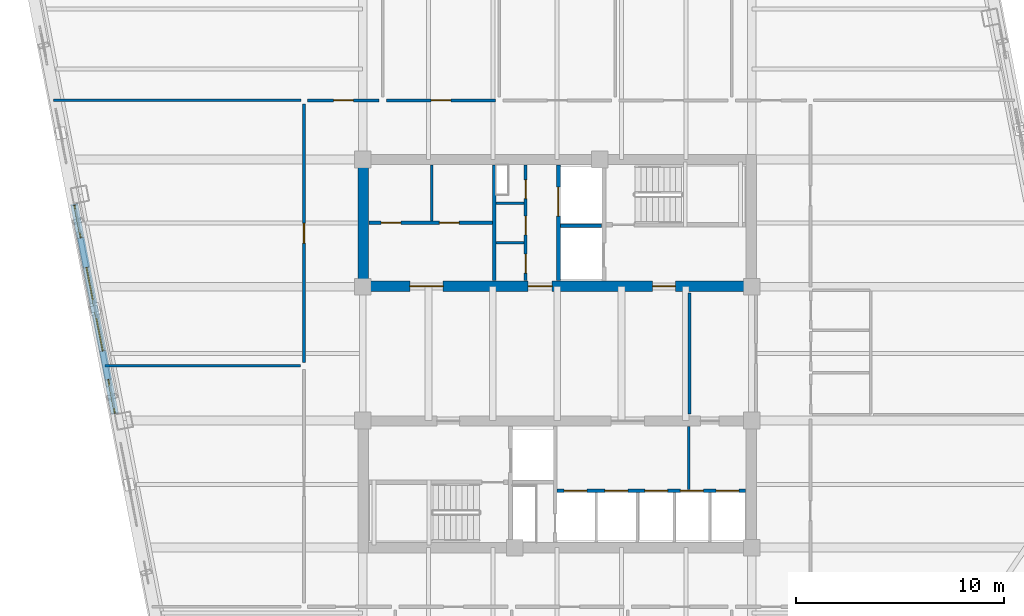
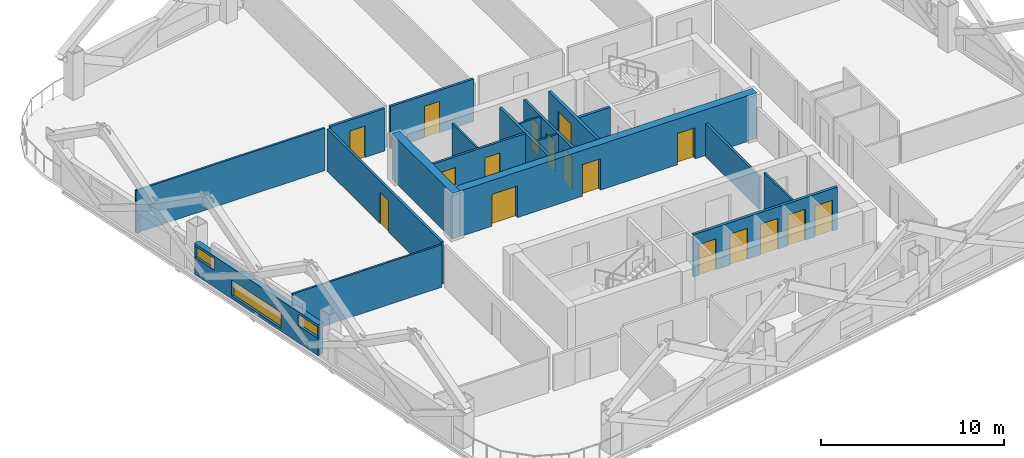
# One storey, part 5 of 10: 19 walls, 17 doors, 3 windows, 20 openings.
"""IFC4 building model written with IfcOpenShell, lengths in metres."""

from ifc_helpers import new_model, si_unit, direction, frame, frame_2d, origin, place, context, subcontext, project, spatial, rectangle, extrude, material, layer, layer_set, type_object, element, fill, save


model = new_model("IFC4")

# Units and contexts
model_context = context("Model", 3, precision=1e-05, world=origin(), true_north=direction((0.0, 1.0)))
body_context = subcontext(model_context, "Body", "Model", "MODEL_VIEW")
ifc_project = project(units=[si_unit("LENGTHUNIT", "METRE"), si_unit("AREAUNIT", "SQUARE_METRE"), si_unit("VOLUMEUNIT", "CUBIC_METRE"), si_unit("PLANEANGLEUNIT", "RADIAN"), si_unit("MASSUNIT", "GRAM", prefix="KILO")], contexts=[model_context])

# Site, building, storey
site_placement = place(None, origin())
site = spatial("IfcSite", under=ifc_project, at=site_placement, CompositionType="ELEMENT")
building_placement = place(site_placement, origin())
building = spatial("IfcBuilding", under=site, at=building_placement, Name="Qhalaya Broadcast Tower", CompositionType="ELEMENT")
storey_placement = place(building_placement, frame((0.0, 0.0, 125.0)))
storey = spatial("IfcBuildingStorey", under=building, at=storey_placement, Name="L36", CompositionType="ELEMENT", Elevation=125.0)

# Wall, openings, doors
ifc_material_1 = material(Name="Gypsum Acoustic Partition")
ifc_layer_1 = layer(ifc_material_1, 0.14990234375, Name="Gypsum Acoustic Partition")
ifc_layer_set_1 = layer_set([ifc_layer_1], Name="Gypsum Acoustic Partition")
wall_type_1 = type_object("IfcWallType", Name="Corridor & Tenancy Acoustic Partition 150", PredefinedType="PARTITIONING", material=ifc_layer_set_1)
wall_1_placement = place(storey_placement, frame((-1.52001953125, 4.1201171875, 0.0), z_axis=(0.0, 0.0, 1.0), x_axis=(0.0, 1.0, 0.0)))
wall_1 = element("IfcWall", 1, at=wall_1_placement, inside=storey, type_object=wall_type_1, Name="L36 Partition Wall NCW-SVL", PredefinedType="PARTITIONING", context=body_context, shape_type="SweptSolid", body=[
    extrude(rectangle(XDim=5.559814453125, YDim=0.14990234375, at=frame_2d((2.77978515625, 0.0))), origin(), (0.0, 0.0, 1.0), 2.830078125),
])
opening_1_placement = place(wall_1_placement, frame((3.949951171875, 0.0, 0.0)))
opening_1 = element("IfcOpeningElement", 2, at=opening_1_placement, cuts=wall_1, Name="Opening D06", PredefinedType="OPENING", context=body_context, shape_type="SweptSolid", body=[
    extrude(rectangle(XDim=0.89990234375, YDim=2.050048828125, at=frame_2d((0.449951171875, 1.02490234375))), frame((0.0, 0.0869140625, 0.0), z_axis=(0.0, -1.0, 0.0), x_axis=(1.0, 0.0, 0.0)), (0.0, 0.0, 1.0), 0.173828125),
])
opening_2_placement = place(wall_1_placement, frame((2.199951171875, 0.0, 0.0)))
opening_2 = element("IfcOpeningElement", 3, at=opening_2_placement, cuts=wall_1, Name="Opening D06", PredefinedType="OPENING", context=body_context, shape_type="SweptSolid", body=[
    extrude(rectangle(XDim=0.89990234375, YDim=2.050048828125, at=frame_2d((0.449951171875, 1.02490234375))), frame((0.0, 0.0869140625, 0.0), z_axis=(0.0, -1.0, 0.0), x_axis=(1.0, 0.0, 0.0)), (0.0, 0.0, 1.0), 0.173828125),
])
opening_3_placement = place(wall_1_placement, frame((0.35009765625, 0.0, 0.0)))
opening_3 = element("IfcOpeningElement", 4, at=opening_3_placement, cuts=wall_1, Name="Opening D12", PredefinedType="OPENING", context=body_context, shape_type="SweptSolid", body=[
    extrude(rectangle(XDim=0.919921875, YDim=2.10009765625, at=frame_2d((0.4599609375, 1.050048828125))), frame((0.0, 0.0869140625, 0.0), z_axis=(0.0, -1.0, 0.0), x_axis=(1.0, 0.0, 0.0)), (0.0, 0.0, 1.0), 0.173828125),
])
ifc_material_2 = material(Name="Timber Veneer Acoustic Door", Category="wood")
door_type_1 = type_object("IfcDoorType", Name="Accessible WC & Restroom Door D12", OperationType="NOTDEFINED", PredefinedType="DOOR", material=ifc_material_2)
door_1_placement = place(opening_3_placement, origin())
door_1 = element("IfcDoor", 5, at=door_1_placement, inside=storey, type_object=door_type_1, Name="L36 Door D-NCWC", OperationType="SINGLE_SWING_RIGHT", OverallHeight=2.10009765625, OverallWidth=0.919921875, PredefinedType="DOOR", context=body_context, shape_type="SweptSolid", body=[
    extrude(rectangle(XDim=0.919921875, YDim=2.10009765625, at=frame_2d((0.4599609375, 1.050048828125))), frame((0.0, 0.02490234375, 0.0), z_axis=(0.0, -1.0, 0.0), x_axis=(1.0, 0.0, 0.0)), (0.0, 0.0, 1.0), 0.050048828125),
])
fill(opening_3, door_1)
ifc_material_3 = material(Name="Fire-Rated Steel Door", Category="steel")
door_type_2 = type_object("IfcDoorType", Name="Riser & Electrical Shaft Access Door D06", OperationType="NOTDEFINED", PredefinedType="DOOR", material=ifc_material_3)
door_2_placement = place(opening_1_placement, origin())
door_2 = element("IfcDoor", 6, at=door_2_placement, inside=storey, type_object=door_type_2, Name="L36 Riser Shaft Access Door D-NRSR", OperationType="SINGLE_SWING_RIGHT", OverallHeight=2.050048828125, OverallWidth=0.89990234375, PredefinedType="DOOR", context=body_context, shape_type="SweptSolid", body=[
    extrude(rectangle(XDim=0.89990234375, YDim=2.050048828125, at=frame_2d((0.449951171875, 1.02490234375))), frame((0.0, 0.02490234375, 0.0), z_axis=(0.0, -1.0, 0.0), x_axis=(1.0, 0.0, 0.0)), (0.0, 0.0, 1.0), 0.050048828125),
])
fill(opening_1, door_2)
door_3_placement = place(opening_2_placement, origin())
door_3 = element("IfcDoor", 7, at=door_3_placement, inside=storey, type_object=door_type_2, Name="L36 Door D-NITR", OperationType="SINGLE_SWING_LEFT", OverallHeight=2.050048828125, OverallWidth=0.89990234375, PredefinedType="DOOR", context=body_context, shape_type="SweptSolid", body=[
    extrude(rectangle(XDim=0.89990234375, YDim=2.050048828125, at=frame_2d((0.449951171875, 1.02490234375))), frame((0.0, 0.02490234375, 0.0), z_axis=(0.0, -1.0, 0.0), x_axis=(1.0, 0.0, 0.0)), (0.0, 0.0, 1.0), 0.050048828125),
])
fill(opening_2, door_3)

wall_2_placement = place(storey_placement, frame((-9.080078125, 6.89990234375, 0.0), z_axis=(0.0, 0.0, 1.0), x_axis=(1.0, 0.0, 0.0)))
wall_2 = element("IfcWall", 8, at=wall_2_placement, inside=storey, type_object=wall_type_1, Name="L36 Partition Wall NCW-REC1", PredefinedType="PARTITIONING", context=body_context, shape_type="SweptSolid", body=[
    extrude(rectangle(XDim=5.9599609375, YDim=0.14990234375, at=frame_2d((2.97998046875, 0.0))), origin(), (0.0, 0.0, 1.0), 2.830078125),
])
opening_4_placement = place(wall_2_placement, frame((0.60009765625, 0.0, 0.0)))
opening_4 = element("IfcOpeningElement", 9, at=opening_4_placement, cuts=wall_2, Name="Opening D10", PredefinedType="OPENING", context=body_context, shape_type="SweptSolid", body=[
    extrude(rectangle(XDim=0.949951171875, YDim=2.10009765625, at=frame_2d((0.47509765625, 1.050048828125))), frame((0.0, 0.0869140625, 0.0), z_axis=(0.0, -1.0, 0.0), x_axis=(1.0, 0.0, 0.0)), (0.0, 0.0, 1.0), 0.173828125),
])
opening_5_placement = place(wall_2_placement, frame((3.39990234375, 0.0, 0.0)))
opening_5 = element("IfcOpeningElement", 10, at=opening_5_placement, cuts=wall_2, Name="Opening D10", PredefinedType="OPENING", context=body_context, shape_type="SweptSolid", body=[
    extrude(rectangle(XDim=0.949951171875, YDim=2.10009765625, at=frame_2d((0.47509765625, 1.050048828125))), frame((0.0, 0.0869140625, 0.0), z_axis=(0.0, -1.0, 0.0), x_axis=(1.0, 0.0, 0.0)), (0.0, 0.0, 1.0), 0.173828125),
])
door_type_3 = type_object("IfcDoorType", Name="Cellular Office & Edit Booth Door D10", OperationType="NOTDEFINED", PredefinedType="DOOR", material=ifc_material_2)
door_4_placement = place(opening_4_placement, origin())
door_4 = element("IfcDoor", 11, at=door_4_placement, inside=storey, type_object=door_type_3, Name="L36 Door D-NREC1", OperationType="SINGLE_SWING_LEFT", OverallHeight=2.10009765625, OverallWidth=0.949951171875, PredefinedType="DOOR", context=body_context, shape_type="SweptSolid", body=[
    extrude(rectangle(XDim=0.949951171875, YDim=2.10009765625, at=frame_2d((0.47509765625, 1.050048828125))), frame((0.0, 0.02490234375, 0.0), z_axis=(0.0, -1.0, 0.0), x_axis=(1.0, 0.0, 0.0)), (0.0, 0.0, 1.0), 0.050048828125),
])
fill(opening_4, door_4)
door_5_placement = place(opening_5_placement, origin())
door_5 = element("IfcDoor", 12, at=door_5_placement, inside=storey, type_object=door_type_3, Name="L36 Door D-NREC2", OperationType="SINGLE_SWING_RIGHT", OverallHeight=2.10009765625, OverallWidth=0.949951171875, PredefinedType="DOOR", context=body_context, shape_type="SweptSolid", body=[
    extrude(rectangle(XDim=0.949951171875, YDim=2.10009765625, at=frame_2d((0.47509765625, 1.050048828125))), frame((0.0, 0.02490234375, 0.0), z_axis=(0.0, -1.0, 0.0), x_axis=(1.0, 0.0, 0.0)), (0.0, 0.0, 1.0), 0.050048828125),
])
fill(opening_5, door_5)

# Wall
wall_3_placement = place(storey_placement, frame((6.3798828125, -2.320068359375, 0.0), z_axis=(0.0, 0.0, 1.0), x_axis=(0.0, 1.0, 0.0)))
element("IfcWall", 13, at=wall_3_placement, inside=storey, type_object=wall_type_1, Name="L36 Partition Wall W-ICHW", PredefinedType="PARTITIONING", context=body_context, shape_type="SweptSolid", body=[
    extrude(rectangle(XDim=5.840087890625, YDim=0.14990234375, at=frame_2d((2.919921875, 0.0))), origin(), (0.0, 0.0, 1.0), 2.197998046875),
])

# Wall, opening, door
wall_4_placement = place(storey_placement, frame((-12.02001953125, 12.800048828125, 0.0), z_axis=(0.0, 0.0, 1.0), x_axis=(1.0, 0.0, 0.0)))
wall_4 = element("IfcWall", 14, at=wall_4_placement, inside=storey, type_object=wall_type_1, Name="L36 Partition Wall W-COR-01", PredefinedType="PARTITIONING", context=body_context, shape_type="SweptSolid", body=[
    extrude(rectangle(XDim=3.43994140625, YDim=0.14990234375, at=frame_2d((1.719970703125, 0.0))), origin(), (0.0, 0.0, 1.0), 2.830078125),
])
opening_6_placement = place(wall_4_placement, frame((1.2451171875, 0.0, 0.0)))
opening_6 = element("IfcOpeningElement", 15, at=opening_6_placement, cuts=wall_4, Name="Opening D10", PredefinedType="OPENING", context=body_context, shape_type="SweptSolid", body=[
    extrude(rectangle(XDim=0.949951171875, YDim=2.10009765625, at=frame_2d((0.47509765625, 1.050048828125))), frame((0.0, 0.0869140625, 0.0), z_axis=(0.0, -1.0, 0.0), x_axis=(1.0, 0.0, 0.0)), (0.0, 0.0, 1.0), 0.173828125),
])
door_6_placement = place(opening_6_placement, origin())
door_6 = element("IfcDoor", 16, at=door_6_placement, inside=storey, type_object=door_type_3, Name="L36 Door D-RM01", OperationType="SINGLE_SWING_RIGHT", OverallHeight=2.10009765625, OverallWidth=0.949951171875, PredefinedType="DOOR", context=body_context, shape_type="SweptSolid", body=[
    extrude(rectangle(XDim=0.949951171875, YDim=2.10009765625, at=frame_2d((0.47509765625, 1.050048828125))), frame((0.0, 0.02490234375, 0.0), z_axis=(0.0, -1.0, 0.0), x_axis=(1.0, 0.0, 0.0)), (0.0, 0.0, 1.0), 0.050048828125),
])
fill(opening_6, door_6)

wall_5_placement = place(storey_placement, frame((-8.219970703125, 12.800048828125, 0.0), z_axis=(0.0, 0.0, 1.0), x_axis=(1.0, 0.0, 0.0)))
wall_5 = element("IfcWall", 17, at=wall_5_placement, inside=storey, type_object=wall_type_1, Name="L36 Partition Wall W-COR-02", PredefinedType="PARTITIONING", context=body_context, shape_type="SweptSolid", body=[
    extrude(rectangle(XDim=5.239990234375, YDim=0.14990234375, at=frame_2d((2.6201171875, 0.0))), origin(), (0.0, 0.0, 1.0), 2.830078125),
])
opening_7_placement = place(wall_5_placement, frame((2.14501953125, 0.0, 0.0)))
opening_7 = element("IfcOpeningElement", 18, at=opening_7_placement, cuts=wall_5, Name="Opening D10", PredefinedType="OPENING", context=body_context, shape_type="SweptSolid", body=[
    extrude(rectangle(XDim=0.949951171875, YDim=2.10009765625, at=frame_2d((0.47509765625, 1.050048828125))), frame((0.0, 0.0869140625, 0.0), z_axis=(0.0, -1.0, 0.0), x_axis=(1.0, 0.0, 0.0)), (0.0, 0.0, 1.0), 0.173828125),
])
door_7_placement = place(opening_7_placement, origin())
door_7 = element("IfcDoor", 19, at=door_7_placement, inside=storey, type_object=door_type_3, Name="L36 Door D-RM02", OperationType="SINGLE_SWING_LEFT", OverallHeight=2.10009765625, OverallWidth=0.949951171875, PredefinedType="DOOR", context=body_context, shape_type="SweptSolid", body=[
    extrude(rectangle(XDim=0.949951171875, YDim=2.10009765625, at=frame_2d((0.47509765625, 1.050048828125))), frame((0.0, 0.02490234375, 0.0), z_axis=(0.0, -1.0, 0.0), x_axis=(1.0, 0.0, 0.0)), (0.0, 0.0, 1.0), 0.050048828125),
])
fill(opening_7, door_7)

wall_6_placement = place(storey_placement, frame((-12.199951171875, 0.179931640625, 0.0), z_axis=(0.0, 0.0, 1.0), x_axis=(0.0, 1.0, 0.0)))
wall_6 = element("IfcWall", 20, at=wall_6_placement, inside=storey, type_object=wall_type_1, Name="L36 Partition Wall W-COR-12", PredefinedType="PARTITIONING", context=body_context, shape_type="SweptSolid", body=[
    extrude(rectangle(XDim=12.440185546875, YDim=0.14990234375, at=frame_2d((6.22021484375, 0.0))), origin(), (0.0, 0.0, 1.0), 2.830078125),
])
opening_8_placement = place(wall_6_placement, frame((5.7451171875, 0.0, 0.0)))
opening_8 = element("IfcOpeningElement", 21, at=opening_8_placement, cuts=wall_6, Name="Opening D10", PredefinedType="OPENING", context=body_context, shape_type="SweptSolid", body=[
    extrude(rectangle(XDim=0.949951171875, YDim=2.10009765625, at=frame_2d((0.47509765625, 1.050048828125))), frame((0.0, 0.0869140625, 0.0), z_axis=(0.0, -1.0, 0.0), x_axis=(1.0, 0.0, 0.0)), (0.0, 0.0, 1.0), 0.173828125),
])
door_8_placement = place(opening_8_placement, origin())
door_8 = element("IfcDoor", 22, at=door_8_placement, inside=storey, type_object=door_type_3, Name="L36 Door D-RM12", OperationType="SINGLE_SWING_LEFT", OverallHeight=2.10009765625, OverallWidth=0.949951171875, PredefinedType="DOOR", context=body_context, shape_type="SweptSolid", body=[
    extrude(rectangle(XDim=0.949951171875, YDim=2.10009765625, at=frame_2d((0.47509765625, 1.050048828125))), frame((0.0, 0.02490234375, 0.0), z_axis=(0.0, -1.0, 0.0), x_axis=(1.0, 0.0, 0.0)), (0.0, 0.0, 1.0), 0.050048828125),
])
fill(opening_8, door_8)

# Wall, openings, windows
ifc_material_4 = material(Name="Precast Concrete C40/50", Category="concrete")
ifc_layer_2 = layer(ifc_material_4, 0.360107421875, Name="Precast Concrete C40/50")
ifc_layer_set_2 = layer_set([ifc_layer_2], Name="Precast Concrete C40/50")
wall_type_2 = type_object("IfcWallType", Name="Insulated Precast Terracotta Exterior Wall 360", PredefinedType="SOLIDWALL", material=ifc_layer_set_2)
wall_7_placement = place(storey_placement, frame((-21.31005859375, -2.30859375, 0.0), z_axis=(0.0, 0.0, 1.0), x_axis=(-0.190811924826, 0.981626614016, 0.0)))
wall_7 = element("IfcWall", 23, at=wall_7_placement, inside=storey, type_object=wall_type_2, Name="L36 Exoskeleton Diagrid Infill Wall W2", PredefinedType="SOLIDWALL", context=body_context, shape_type="SweptSolid", body=[
    extrude(rectangle(XDim=10.2998046875, YDim=0.360107421875, at=frame_2d((5.14990234375, 0.0))), origin(), (0.0, 0.0, 1.0), 2.06689453125),
])
opening_9_placement = place(wall_7_placement, frame((0.0380859375, 0.0, 1.14990234375)))
opening_9 = element("IfcOpeningElement", 24, at=opening_9_placement, cuts=wall_7, Name="Opening W11", PredefinedType="OPENING", context=body_context, shape_type="SweptSolid", body=[
    extrude(rectangle(XDim=1.64990234375, YDim=0.75, at=frame_2d((0.824951171875, 0.375))), frame((0.0, 0.192138671875, 0.0), z_axis=(0.0, -1.0, 0.0), x_axis=(1.0, 0.0, 0.0)), (0.0, 0.0, 1.0), 0.384033203125),
])
opening_10_placement = place(wall_7_placement, frame((3.087890625, 0.0, 0.199951171875)))
opening_10 = element("IfcOpeningElement", 25, at=opening_10_placement, cuts=wall_7, Name="Opening W11", PredefinedType="OPENING", context=body_context, shape_type="SweptSolid", body=[
    extrude(rectangle(XDim=4.10009765625, YDim=1.050048828125, at=frame_2d((2.050048828125, 0.52490234375))), frame((0.0, 0.192138671875, 0.0), z_axis=(0.0, -1.0, 0.0), x_axis=(1.0, 0.0, 0.0)), (0.0, 0.0, 1.0), 0.384033203125),
])
opening_11_placement = place(wall_7_placement, frame((8.637939453125, 0.0, 1.14990234375)))
opening_11 = element("IfcOpeningElement", 26, at=opening_11_placement, cuts=wall_7, Name="Opening W11", PredefinedType="OPENING", context=body_context, shape_type="SweptSolid", body=[
    extrude(rectangle(XDim=1.60009765625, YDim=0.75, at=frame_2d((0.800048828125, 0.375))), frame((0.0, 0.192138671875, 0.0), z_axis=(0.0, -1.0, 0.0), x_axis=(1.0, 0.0, 0.0)), (0.0, 0.0, 1.0), 0.384033203125),
])
ifc_material_5 = material(Name="Solar-Control Low-E Triple Glazing", Category="glass")
window_type = type_object("IfcWindowType", Name="Odd-Block Diagrid Infill Window W11", PartitioningType="SINGLE_PANEL", PredefinedType="WINDOW", material=ifc_material_5)
window_1_placement = place(opening_9_placement, origin())
window_1 = element("IfcWindow", 27, at=window_1_placement, inside=storey, type_object=window_type, Name="L36 Diagrid Infill Window W11-W2", OverallHeight=0.75, OverallWidth=1.64990234375, PartitioningType="SINGLE_PANEL", PredefinedType="WINDOW", context=body_context, shape_type="SweptSolid", body=[
    extrude(rectangle(XDim=1.64990234375, YDim=0.75, at=frame_2d((0.824951171875, 0.375))), frame((0.0, 0.030029296875, 0.0), z_axis=(0.0, -1.0, 0.0), x_axis=(1.0, 0.0, 0.0)), (0.0, 0.0, 1.0), 0.06005859375),
])
fill(opening_9, window_1)
window_2_placement = place(opening_10_placement, origin())
window_2 = element("IfcWindow", 28, at=window_2_placement, inside=storey, type_object=window_type, Name="L36 Diagrid Infill Window W11-W3", OverallHeight=1.050048828125, OverallWidth=4.10009765625, PartitioningType="SINGLE_PANEL", PredefinedType="WINDOW", context=body_context, shape_type="SweptSolid", body=[
    extrude(rectangle(XDim=4.10009765625, YDim=1.050048828125, at=frame_2d((2.050048828125, 0.52490234375))), frame((0.0, 0.030029296875, 0.0), z_axis=(0.0, -1.0, 0.0), x_axis=(1.0, 0.0, 0.0)), (0.0, 0.0, 1.0), 0.06005859375),
])
fill(opening_10, window_2)
window_3_placement = place(opening_11_placement, origin())
window_3 = element("IfcWindow", 29, at=window_3_placement, inside=storey, type_object=window_type, Name="L36 Diagrid Infill Window W11-W4", OverallHeight=0.75, OverallWidth=1.60009765625, PartitioningType="SINGLE_PANEL", PredefinedType="WINDOW", context=body_context, shape_type="SweptSolid", body=[
    extrude(rectangle(XDim=1.60009765625, YDim=0.75, at=frame_2d((0.800048828125, 0.375))), frame((0.0, 0.030029296875, 0.0), z_axis=(0.0, -1.0, 0.0), x_axis=(1.0, 0.0, 0.0)), (0.0, 0.0, 1.0), 0.06005859375),
])
fill(opening_11, window_3)

# Wall, openings, doors
ifc_material_6 = material(Name="Concrete C50/60", Category="concrete")
ifc_layer_3 = layer(ifc_material_6, 0.5, Name="Concrete C50/60")
ifc_layer_set_3 = layer_set([ifc_layer_3], Name="Concrete C50/60")
wall_type_3 = type_object("IfcWallType", Name="Mid Split-Core Shear Wall 500", PredefinedType="SHEAR", material=ifc_layer_set_3)
wall_8_placement = place(storey_placement, frame((-9.60009765625, 3.85009765625, 0.0), z_axis=(0.0, 0.0, 1.0), x_axis=(1.0, 0.0, 0.0)))
wall_8 = element("IfcWall", 30, at=wall_8_placement, inside=storey, type_object=wall_type_3, Name="L36 Split-Core Shear Wall CW-NS", PredefinedType="SHEAR", context=body_context, shape_type="SweptSolid", body=[
    extrude(rectangle(XDim=19.2001953125, YDim=0.5, at=frame_2d((9.60009765625, 0.0))), origin(), (0.0, 0.0, 1.0), 3.050048828125),
])
opening_12_placement = place(wall_8_placement, frame((14.199951171875, 0.0, 0.0)))
opening_12 = element("IfcOpeningElement", 31, at=opening_12_placement, cuts=wall_8, Name="Opening D04", PredefinedType="OPENING", context=body_context, shape_type="SweptSolid", body=[
    extrude(rectangle(XDim=1.10009765625, YDim=2.080078125, at=frame_2d((0.550048828125, 1.0400390625))), frame((0.0, 0.261962890625, 0.0), z_axis=(0.0, -1.0, 0.0), x_axis=(1.0, 0.0, 0.0)), (0.0, 0.0, 1.0), 0.52392578125),
])
opening_13_placement = place(wall_8_placement, frame((8.199951171875, 0.0, 0.0)))
opening_13 = element("IfcOpeningElement", 32, at=opening_13_placement, cuts=wall_8, Name="Opening D05", PredefinedType="OPENING", context=body_context, shape_type="SweptSolid", body=[
    extrude(rectangle(XDim=1.14990234375, YDim=2.10009765625, at=frame_2d((0.574951171875, 1.050048828125))), frame((0.0, 0.261962890625, 0.0), z_axis=(0.0, -1.0, 0.0), x_axis=(1.0, 0.0, 0.0)), (0.0, 0.0, 1.0), 0.52392578125),
])
opening_14_placement = place(wall_8_placement, frame((2.5, 0.0, 0.0)))
opening_14 = element("IfcOpeningElement", 33, at=opening_14_placement, cuts=wall_8, Name="Opening D07", PredefinedType="OPENING", context=body_context, shape_type="SweptSolid", body=[
    extrude(rectangle(XDim=1.60009765625, YDim=2.1201171875, at=frame_2d((0.800048828125, 1.06005859375))), frame((0.0, 0.261962890625, 0.0), z_axis=(0.0, -1.0, 0.0), x_axis=(1.0, 0.0, 0.0)), (0.0, 0.0, 1.0), 0.52392578125),
])
door_type_4 = type_object("IfcDoorType", Name="Firefighting Lobby Rated Door D04", OperationType="NOTDEFINED", PredefinedType="DOOR", material=ifc_material_3)
door_9_placement = place(opening_12_placement, origin())
door_9 = element("IfcDoor", 34, at=door_9_placement, inside=storey, type_object=door_type_4, Name="L36 Door D-NFF", OperationType="SINGLE_SWING_RIGHT", OverallHeight=2.080078125, OverallWidth=1.10009765625, PredefinedType="DOOR", context=body_context, shape_type="SweptSolid", body=[
    extrude(rectangle(XDim=1.10009765625, YDim=2.080078125, at=frame_2d((0.550048828125, 1.0400390625))), frame((0.0, 0.02490234375, 0.0), z_axis=(0.0, -1.0, 0.0), x_axis=(1.0, 0.0, 0.0)), (0.0, 0.0, 1.0), 0.050048828125),
])
fill(opening_12, door_9)
ifc_material_7 = material(Name="Anodised Aluminium Glazed Door", Category="aluminium")
door_type_5 = type_object("IfcDoorType", Name="Passenger Lift Lobby Double Glazed Door D07", OperationType="DOUBLE_DOOR_SINGLE_SWING", PredefinedType="DOOR", material=ifc_material_7)
door_10_placement = place(opening_14_placement, origin())
door_10 = element("IfcDoor", 35, at=door_10_placement, inside=storey, type_object=door_type_5, Name="L36 Door D-NRECV", OperationType="DOUBLE_DOOR_SINGLE_SWING", OverallHeight=2.1201171875, OverallWidth=1.60009765625, PredefinedType="DOOR", context=body_context, shape_type="SweptSolid", body=[
    extrude(rectangle(XDim=1.60009765625, YDim=2.1201171875, at=frame_2d((0.800048828125, 1.06005859375))), frame((0.0, 0.02490234375, 0.0), z_axis=(0.0, -1.0, 0.0), x_axis=(1.0, 0.0, 0.0)), (0.0, 0.0, 1.0), 0.050048828125),
])
fill(opening_14, door_10)
door_type_6 = type_object("IfcDoorType", Name="Refuge & Plant Room Fire Door D05", OperationType="NOTDEFINED", PredefinedType="DOOR", material=ifc_material_3)
door_11_placement = place(opening_13_placement, origin())
door_11 = element("IfcDoor", 36, at=door_11_placement, inside=storey, type_object=door_type_6, Name="L36 Door D-NSVL", OperationType="SINGLE_SWING_LEFT", OverallHeight=2.10009765625, OverallWidth=1.14990234375, PredefinedType="DOOR", context=body_context, shape_type="SweptSolid", body=[
    extrude(rectangle(XDim=1.14990234375, YDim=2.10009765625, at=frame_2d((0.574951171875, 1.050048828125))), frame((0.0, 0.02490234375, 0.0), z_axis=(0.0, -1.0, 0.0), x_axis=(1.0, 0.0, 0.0)), (0.0, 0.0, 1.0), 0.050048828125),
])
fill(opening_13, door_11)

# Walls
wall_9_placement = place(storey_placement, frame((-9.35009765625, 3.60009765625, 0.0), z_axis=(0.0, 0.0, 1.0), x_axis=(0.0, 1.0, 0.0)))
element("IfcWall", 37, at=wall_9_placement, inside=storey, type_object=wall_type_3, Name="L36 Split-Core Shear Wall CW-NW", PredefinedType="SHEAR", context=body_context, shape_type="SweptSolid", body=[
    extrude(rectangle(XDim=6.599853515625, YDim=0.5, at=frame_2d((3.2998046875, 0.0))), origin(), (0.0, 0.0, 1.0), 3.050048828125),
])
ifc_layer_4 = layer(ifc_material_1, 0.1201171875, Name="Gypsum Acoustic Partition")
ifc_layer_set_4 = layer_set([ifc_layer_4], Name="Gypsum Acoustic Partition")
wall_type_4 = type_object("IfcWallType", Name="Office, Booth & Sanitary Partition 120", PredefinedType="PARTITIONING", material=ifc_layer_set_4)
for number, where, z_axis, x_axis, name in (
    (38, (-2.9599609375, 5.949951171875, 0.0), (0.0, 0.0, 1.0), (1.0, 0.0, 0.0), "L36 Partition Wall NCW-VB1"),
    (39, (-2.9599609375, 7.85009765625, 0.0), (0.0, 0.0, 1.0), (1.0, 0.0, 0.0), "L36 Partition Wall NCW-VB2"),
):
    element("IfcWall", number, at=place(storey_placement, frame(where, z_axis=z_axis, x_axis=x_axis)), inside=storey, type_object=wall_type_4, Name=name, PredefinedType="PARTITIONING", context=body_context, shape_type="SweptSolid", body=[
        extrude(rectangle(XDim=1.35986328125, YDim=0.1201171875, at=frame_2d((0.679931640625, 0.0))), origin(), (0.0, 0.0, 1.0), 2.830078125),
    ])
wall_10_placement = place(storey_placement, frame((-6.050048828125, 6.97998046875, 0.0), z_axis=(0.0, 0.0, 1.0), x_axis=(0.0, 1.0, 0.0)))
element("IfcWall", 40, at=wall_10_placement, inside=storey, type_object=wall_type_4, Name="L36 Partition Wall NCW-REC2", PredefinedType="PARTITIONING", context=body_context, shape_type="SweptSolid", body=[
    extrude(rectangle(XDim=2.699951171875, YDim=0.1201171875, at=frame_2d((1.35009765625, 0.0))), origin(), (0.0, 0.0, 1.0), 2.830078125),
])
wall_11_placement = place(storey_placement, frame((6.35009765625, -5.93994140625, 0.0), z_axis=(0.0, 0.0, 1.0), x_axis=(0.0, 1.0, 0.0)))
element("IfcWall", 41, at=wall_11_placement, inside=storey, type_object=wall_type_4, Name="L36 Partition Wall SCW-LKB", PredefinedType="PARTITIONING", context=body_context, shape_type="SweptSolid", body=[
    extrude(rectangle(XDim=3.02001953125, YDim=0.1201171875, at=frame_2d((1.510009765625, 0.0))), origin(), (0.0, 0.0, 1.0), 2.830078125),
])
wall_12_placement = place(storey_placement, frame((-24.267333984375, 12.800048828125, 0.0), z_axis=(0.0, 0.0, 1.0), x_axis=(1.0, 0.0, 0.0)))
element("IfcWall", 42, at=wall_12_placement, inside=storey, type_object=wall_type_4, Name="L36 Partition Wall W-BNDW1", PredefinedType="PARTITIONING", context=body_context, shape_type="SweptSolid", body=[
    extrude(rectangle(XDim=11.92724609375, YDim=0.1201171875, at=frame_2d((5.963623046875, 0.0))), origin(), (0.0, 0.0, 1.0), 2.830078125),
])
wall_13_placement = place(storey_placement, frame((-21.779296875, 0.0, 0.0), z_axis=(0.0, 0.0, 1.0), x_axis=(1.0, 0.0, 0.0)))
element("IfcWall", 43, at=wall_13_placement, inside=storey, type_object=wall_type_4, Name="L36 Partition Wall W-DIVW1", PredefinedType="PARTITIONING", context=body_context, shape_type="SweptSolid", body=[
    extrude(rectangle(XDim=9.419189453125, YDim=0.1201171875, at=frame_2d((4.70947265625, 0.0))), origin(), (0.0, 0.0, 1.0), 2.830078125),
])

# Wall, opening, door
ifc_layer_5 = layer(ifc_material_1, 0.175048828125, Name="Gypsum Acoustic Partition")
ifc_layer_set_5 = layer_set([ifc_layer_5], Name="Gypsum Acoustic Partition")
wall_type_5 = type_object("IfcWallType", Name="Shaft & Riser Fire Partition 175", PredefinedType="PARTITIONING", material=ifc_layer_set_5)
wall_14_placement = place(storey_placement, frame((0.06005859375, 4.1201171875, 0.0), z_axis=(0.0, 0.0, 1.0), x_axis=(0.0, 1.0, 0.0)))
wall_14 = element("IfcWall", 44, at=wall_14_placement, inside=storey, type_object=wall_type_5, Name="L36 Partition Wall NCW-SVW", PredefinedType="PARTITIONING", context=body_context, shape_type="SweptSolid", body=[
    extrude(rectangle(XDim=5.559814453125, YDim=0.175048828125, at=frame_2d((2.77978515625, 0.0))), origin(), (0.0, 0.0, 1.0), 2.830078125),
])
opening_15_placement = place(wall_14_placement, frame((3.10009765625, 0.0, 0.0)))
opening_15 = element("IfcOpeningElement", 45, at=opening_15_placement, cuts=wall_14, Name="Opening LD3", PredefinedType="OPENING", context=body_context, shape_type="SweptSolid", body=[
    extrude(rectangle(XDim=1.39990234375, YDim=2.1201171875, at=frame_2d((0.699951171875, 1.06005859375))), frame((0.0, 0.099609375, 0.0), z_axis=(0.0, -1.0, 0.0), x_axis=(1.0, 0.0, 0.0)), (0.0, 0.0, 1.0), 0.198974609375),
])
ifc_material_8 = material(Name="Brushed Stainless Steel Lift Door", Category="steel")
door_type_7 = type_object("IfcDoorType", Name="Service Lift Wide Sliding Landing Door LD3", OperationType="DOUBLE_DOOR_SLIDING", PredefinedType="DOOR", material=ifc_material_8)
door_12_placement = place(opening_15_placement, origin())
door_12 = element("IfcDoor", 46, at=door_12_placement, inside=storey, type_object=door_type_7, Name="L36 Door LD-SV1", OperationType="DOUBLE_DOOR_SLIDING", OverallHeight=2.1201171875, OverallWidth=1.39990234375, PredefinedType="DOOR", context=body_context, shape_type="SweptSolid", body=[
    extrude(rectangle(XDim=1.39990234375, YDim=2.1201171875, at=frame_2d((0.699951171875, 1.06005859375))), frame((0.0, 0.02490234375, 0.0), z_axis=(0.0, -1.0, 0.0), x_axis=(1.0, 0.0, 0.0)), (0.0, 0.0, 1.0), 0.050048828125),
])
fill(opening_15, door_12)

# Walls
wall_15_placement = place(storey_placement, frame((0.159912109375, 6.75, 0.0), z_axis=(0.0, 0.0, 1.0), x_axis=(1.0, 0.0, 0.0)))
element("IfcWall", 47, at=wall_15_placement, inside=storey, type_object=wall_type_5, Name="L36 Partition Wall NCW-SVM", PredefinedType="PARTITIONING", context=body_context, shape_type="SweptSolid", body=[
    extrude(rectangle(XDim=1.97998046875, YDim=0.175048828125, at=frame_2d((0.989990234375, 0.0))), origin(), (0.0, 0.0, 1.0), 2.830078125),
])
wall_16_placement = place(storey_placement, frame((-3.0400390625, 4.1201171875, 0.0), z_axis=(0.0, 0.0, 1.0), x_axis=(0.0, 1.0, 0.0)))
element("IfcWall", 48, at=wall_16_placement, inside=storey, type_object=wall_type_5, Name="L36 Partition Wall NCW-VRW", PredefinedType="PARTITIONING", context=body_context, shape_type="SweptSolid", body=[
    extrude(rectangle(XDim=5.559814453125, YDim=0.175048828125, at=frame_2d((2.77978515625, 0.0))), origin(), (0.0, 0.0, 1.0), 2.830078125),
])

# Wall, openings, doors
wall_17_placement = place(storey_placement, frame((0.0, -6.02001953125, 0.0), z_axis=(0.0, 0.0, 1.0), x_axis=(1.0, 0.0, 0.0)))
wall_17 = element("IfcWall", 49, at=wall_17_placement, inside=storey, type_object=wall_type_5, Name="L36 Partition Wall SCW-SLB", PredefinedType="PARTITIONING", context=body_context, shape_type="SweptSolid", body=[
    extrude(rectangle(XDim=9.080078125, YDim=0.175048828125, at=frame_2d((4.5400390625, 0.0))), origin(), (0.0, 0.0, 1.0), 2.830078125),
])
opening_16_placement = place(wall_17_placement, frame((0.330078125, 0.0, 0.0)))
opening_16 = element("IfcOpeningElement", 50, at=opening_16_placement, cuts=wall_17, Name="Opening LD1", PredefinedType="OPENING", context=body_context, shape_type="SweptSolid", body=[
    extrude(rectangle(XDim=1.10009765625, YDim=2.06005859375, at=frame_2d((0.550048828125, 1.030029296875))), frame((0.0, 0.099609375, 0.0), z_axis=(0.0, -1.0, 0.0), x_axis=(1.0, 0.0, 0.0)), (0.0, 0.0, 1.0), 0.198974609375),
])
opening_17_placement = place(wall_17_placement, frame((2.300048828125, 0.0, 0.0)))
opening_17 = element("IfcOpeningElement", 51, at=opening_17_placement, cuts=wall_17, Name="Opening LD1", PredefinedType="OPENING", context=body_context, shape_type="SweptSolid", body=[
    extrude(rectangle(XDim=1.10009765625, YDim=2.06005859375, at=frame_2d((0.550048828125, 1.030029296875))), frame((0.0, 0.099609375, 0.0), z_axis=(0.0, -1.0, 0.0), x_axis=(1.0, 0.0, 0.0)), (0.0, 0.0, 1.0), 0.198974609375),
])
opening_18_placement = place(wall_17_placement, frame((4.219970703125, 0.0, 0.0)))
opening_18 = element("IfcOpeningElement", 52, at=opening_18_placement, cuts=wall_17, Name="Opening LD1", PredefinedType="OPENING", context=body_context, shape_type="SweptSolid", body=[
    extrude(rectangle(XDim=1.10009765625, YDim=2.06005859375, at=frame_2d((0.550048828125, 1.030029296875))), frame((0.0, 0.099609375, 0.0), z_axis=(0.0, -1.0, 0.0), x_axis=(1.0, 0.0, 0.0)), (0.0, 0.0, 1.0), 0.198974609375),
])
opening_19_placement = place(wall_17_placement, frame((5.93994140625, 0.0, 0.0)))
opening_19 = element("IfcOpeningElement", 53, at=opening_19_placement, cuts=wall_17, Name="Opening LD1", PredefinedType="OPENING", context=body_context, shape_type="SweptSolid", body=[
    extrude(rectangle(XDim=1.10009765625, YDim=2.06005859375, at=frame_2d((0.550048828125, 1.030029296875))), frame((0.0, 0.099609375, 0.0), z_axis=(0.0, -1.0, 0.0), x_axis=(1.0, 0.0, 0.0)), (0.0, 0.0, 1.0), 0.198974609375),
])
opening_20_placement = place(wall_17_placement, frame((7.659912109375, 0.0, 0.0)))
opening_20 = element("IfcOpeningElement", 54, at=opening_20_placement, cuts=wall_17, Name="Opening LD1", PredefinedType="OPENING", context=body_context, shape_type="SweptSolid", body=[
    extrude(rectangle(XDim=1.10009765625, YDim=2.06005859375, at=frame_2d((0.550048828125, 1.030029296875))), frame((0.0, 0.099609375, 0.0), z_axis=(0.0, -1.0, 0.0), x_axis=(1.0, 0.0, 0.0)), (0.0, 0.0, 1.0), 0.198974609375),
])
door_type_8 = type_object("IfcDoorType", Name="Passenger Lift Sliding Landing Door LD1", OperationType="DOUBLE_DOOR_SLIDING", PredefinedType="DOOR", material=ifc_material_8)
door_13_placement = place(opening_16_placement, origin())
door_13 = element("IfcDoor", 55, at=door_13_placement, inside=storey, type_object=door_type_8, Name="L36 Door LD-P4", OperationType="DOUBLE_DOOR_SLIDING", OverallHeight=2.06005859375, OverallWidth=1.10009765625, PredefinedType="DOOR", context=body_context, shape_type="SweptSolid", body=[
    extrude(rectangle(XDim=1.10009765625, YDim=2.06005859375, at=frame_2d((0.550048828125, 1.030029296875))), frame((0.0, 0.02490234375, 0.0), z_axis=(0.0, -1.0, 0.0), x_axis=(1.0, 0.0, 0.0)), (0.0, 0.0, 1.0), 0.050048828125),
])
fill(opening_16, door_13)
door_14_placement = place(opening_17_placement, origin())
door_14 = element("IfcDoor", 56, at=door_14_placement, inside=storey, type_object=door_type_8, Name="L36 Door LD-P5", OperationType="DOUBLE_DOOR_SLIDING", OverallHeight=2.06005859375, OverallWidth=1.10009765625, PredefinedType="DOOR", context=body_context, shape_type="SweptSolid", body=[
    extrude(rectangle(XDim=1.10009765625, YDim=2.06005859375, at=frame_2d((0.550048828125, 1.030029296875))), frame((0.0, 0.02490234375, 0.0), z_axis=(0.0, -1.0, 0.0), x_axis=(1.0, 0.0, 0.0)), (0.0, 0.0, 1.0), 0.050048828125),
])
fill(opening_17, door_14)
door_15_placement = place(opening_18_placement, origin())
door_15 = element("IfcDoor", 57, at=door_15_placement, inside=storey, type_object=door_type_8, Name="L36 Door LD-P6", OperationType="DOUBLE_DOOR_SLIDING", OverallHeight=2.06005859375, OverallWidth=1.10009765625, PredefinedType="DOOR", context=body_context, shape_type="SweptSolid", body=[
    extrude(rectangle(XDim=1.10009765625, YDim=2.06005859375, at=frame_2d((0.550048828125, 1.030029296875))), frame((0.0, 0.02490234375, 0.0), z_axis=(0.0, -1.0, 0.0), x_axis=(1.0, 0.0, 0.0)), (0.0, 0.0, 1.0), 0.050048828125),
])
fill(opening_18, door_15)
door_16_placement = place(opening_19_placement, origin())
door_16 = element("IfcDoor", 58, at=door_16_placement, inside=storey, type_object=door_type_8, Name="L36 Door LD-P7", OperationType="DOUBLE_DOOR_SLIDING", OverallHeight=2.06005859375, OverallWidth=1.10009765625, PredefinedType="DOOR", context=body_context, shape_type="SweptSolid", body=[
    extrude(rectangle(XDim=1.10009765625, YDim=2.06005859375, at=frame_2d((0.550048828125, 1.030029296875))), frame((0.0, 0.02490234375, 0.0), z_axis=(0.0, -1.0, 0.0), x_axis=(1.0, 0.0, 0.0)), (0.0, 0.0, 1.0), 0.050048828125),
])
fill(opening_19, door_16)
door_17_placement = place(opening_20_placement, origin())
door_17 = element("IfcDoor", 59, at=door_17_placement, inside=storey, type_object=door_type_8, Name="L36 Door LD-P8", OperationType="DOUBLE_DOOR_SLIDING", OverallHeight=2.06005859375, OverallWidth=1.10009765625, PredefinedType="DOOR", context=body_context, shape_type="SweptSolid", body=[
    extrude(rectangle(XDim=1.10009765625, YDim=2.06005859375, at=frame_2d((0.550048828125, 1.030029296875))), frame((0.0, 0.02490234375, 0.0), z_axis=(0.0, -1.0, 0.0), x_axis=(1.0, 0.0, 0.0)), (0.0, 0.0, 1.0), 0.050048828125),
])
fill(opening_20, door_17)

save(model, "model.ifc")
